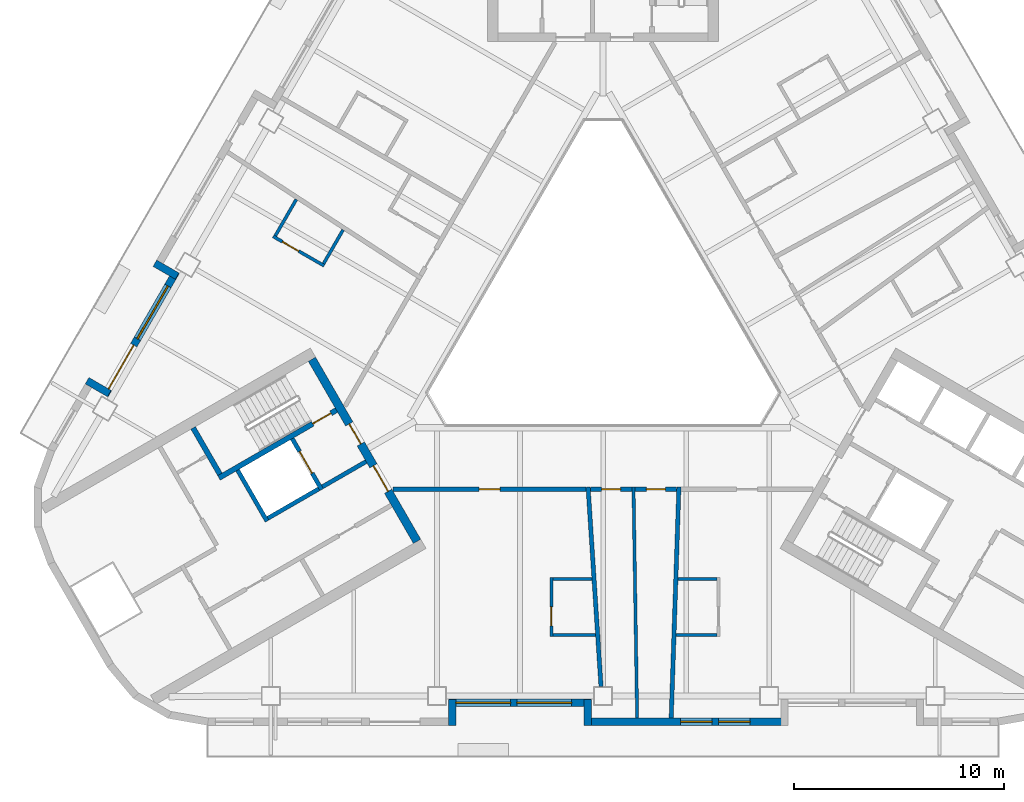
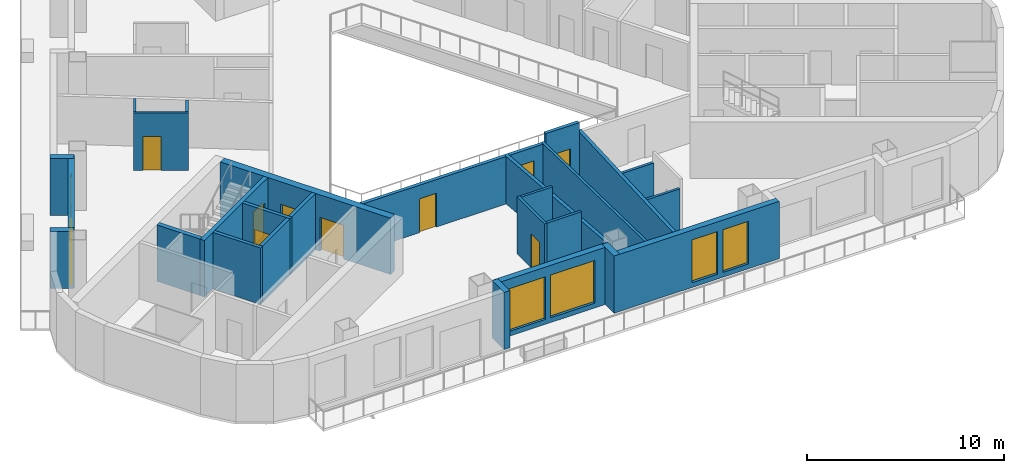
# One storey, part 3 of 14: 28 walls, 10 doors, 5 windows, 15 openings.
"""IFC4 building model written with IfcOpenShell, lengths in metres."""

from ifc_helpers import new_model, si_unit, direction, frame, frame_2d, origin, place, context, subcontext, project, spatial, rectangle, extrude, material, layer, layer_set, type_object, element, fill, save


model = new_model("IFC4")

# Units and contexts
model_context = context("Model", 3, precision=1e-05, world=origin(), true_north=direction((0.0, 1.0)))
body_context = subcontext(model_context, "Body", "Model", "MODEL_VIEW")
ifc_project = project(units=[si_unit("LENGTHUNIT", "METRE"), si_unit("AREAUNIT", "SQUARE_METRE"), si_unit("VOLUMEUNIT", "CUBIC_METRE"), si_unit("PLANEANGLEUNIT", "RADIAN"), si_unit("MASSUNIT", "GRAM", prefix="KILO")], contexts=[model_context])

# Site, building, storey
site_placement = place(None, origin())
site = spatial("IfcSite", under=ifc_project, at=site_placement, CompositionType="ELEMENT")
building_placement = place(site_placement, origin())
building = spatial("IfcBuilding", under=site, at=building_placement, Name="Apuvela Tower Hotel", CompositionType="ELEMENT")
storey_placement = place(building_placement, frame((0.0, 0.0, 109.39990234375)))
storey = spatial("IfcBuildingStorey", under=building, at=storey_placement, Name="L25", CompositionType="ELEMENT", Elevation=109.39990234375)

# Wall, openings, doors
ifc_material_1 = material(Name="Concrete C50/60", Category="concrete")
ifc_layer_1 = layer(ifc_material_1, 0.39990234375)
ifc_layer_set_1 = layer_set([ifc_layer_1], Name="COR-WALL-CORE-400")
wall_type_1 = type_object("IfcWallType", Name="COR-WALL-CORE-400", PredefinedType="SHEAR", material=ifc_layer_set_1)
wall_1_placement = place(storey_placement, frame((-13.844970703125, -2.219970703125, 0.0), z_axis=(0.0, 0.0, 1.0), x_axis=(0.500004234368, -0.866022959057, 0.0)))
wall_1 = element("IfcWall", 1, at=wall_1_placement, inside=storey, type_object=wall_type_1, Name="Core wall SW", PredefinedType="SHEAR", context=body_context, shape_type="SweptSolid", body=[
    extrude(rectangle(XDim=10.0, YDim=0.39990234375, at=frame_2d((5.0, 0.0))), origin(), (0.0, 0.0, 1.0), 3.5),
])
opening_1_placement = place(wall_1_placement, frame((3.550048828125, 0.0, 0.0)))
opening_1 = element("IfcOpeningElement", 2, at=opening_1_placement, cuts=wall_1, Name="Opening W-FD", PredefinedType="OPENING", context=body_context, shape_type="SweptSolid", body=[
    extrude(rectangle(XDim=1.10009765625, YDim=2.10009765625, at=frame_2d((0.550048828125, 1.050048828125))), frame((0.0, 0.2099609375, 0.0), z_axis=(0.0, -1.0, 0.0), x_axis=(1.0, 0.0, 0.0)), (0.0, 0.0, 1.0), 0.419921875),
])
opening_2_placement = place(wall_1_placement, frame((5.85009765625, 0.0, 0.0)))
opening_2 = element("IfcOpeningElement", 3, at=opening_2_placement, cuts=wall_1, Name="Opening W-GD", PredefinedType="OPENING", context=body_context, shape_type="SweptSolid", body=[
    extrude(rectangle(XDim=1.39990234375, YDim=2.10009765625, at=frame_2d((0.699951171875, 1.050048828125))), frame((0.0, 0.2099609375, 0.0), z_axis=(0.0, -1.0, 0.0), x_axis=(1.0, 0.0, 0.0)), (0.0, 0.0, 1.0), 0.419921875),
])
ifc_material_2 = material(Name="Steel fire door, powder coated", Category="steel")
door_type_1 = type_object("IfcDoorType", Name="COR-FD-1100", OperationType="NOTDEFINED", PredefinedType="DOOR", material=ifc_material_2)
door_1_placement = place(opening_1_placement, frame((1.10009765625, 0.0, 0.0), z_axis=(0.0, 0.0, 1.0), x_axis=(-1.0, 0.0, 0.0)))
door_1 = element("IfcDoor", 4, at=door_1_placement, inside=storey, type_object=door_type_1, Name="Firefighting lobby door W-FD", OperationType="SINGLE_SWING_LEFT", OverallHeight=2.10009765625, OverallWidth=1.10009765625, PredefinedType="DOOR", context=body_context, shape_type="SweptSolid", body=[
    extrude(rectangle(XDim=1.10009765625, YDim=2.10009765625, at=frame_2d((0.550048828125, 1.050048828125))), frame((0.0, 0.02490234375, 0.0), z_axis=(0.0, -1.0, 0.0), x_axis=(1.0, 0.0, 0.0)), (0.0, 0.0, 1.0), 0.050048828125),
])
fill(opening_1, door_1)
ifc_material_3 = material(Name="Glazed steel fire door", Category="steel")
door_type_2 = type_object("IfcDoorType", Name="COR-GD-1400", OperationType="DOUBLE_DOOR_SINGLE_SWING", PredefinedType="DOOR", material=ifc_material_3)
door_2_placement = place(opening_2_placement, frame((1.39990234375, 0.0, 0.0), z_axis=(0.0, 0.0, 1.0), x_axis=(-1.0, 0.0, 0.0)))
door_2 = element("IfcDoor", 5, at=door_2_placement, inside=storey, type_object=door_type_2, Name="Lift lobby door W-GD", OperationType="DOUBLE_DOOR_SINGLE_SWING", OverallHeight=2.10009765625, OverallWidth=1.39990234375, PredefinedType="DOOR", context=body_context, shape_type="SweptSolid", body=[
    extrude(rectangle(XDim=1.39990234375, YDim=2.10009765625, at=frame_2d((0.699951171875, 1.050048828125))), frame((0.0, 0.02490234375, 0.0), z_axis=(0.0, -1.0, 0.0), x_axis=(1.0, 0.0, 0.0)), (0.0, 0.0, 1.0), 0.050048828125),
])
fill(opening_2, door_2)

# Wall
ifc_layer_2 = layer(ifc_material_1, 0.199951171875)
ifc_layer_set_2 = layer_set([ifc_layer_2], Name="COR-WALL-SHAFT-200")
wall_type_2 = type_object("IfcWallType", Name="COR-WALL-SHAFT-200", PredefinedType="SHEAR", material=ifc_layer_set_2)
wall_2_placement = place(storey_placement, frame((-17.38134765625, -7.49462890625, 0.0), z_axis=(0.0, 0.0, 1.0), x_axis=(0.500011755427, -0.866018616679, 0.0)))
element("IfcWall", 6, at=wall_2_placement, inside=storey, type_object=wall_type_2, Name="Shaft wall SW", PredefinedType="SHEAR", context=body_context, shape_type="SweptSolid", body=[
    extrude(rectangle(XDim=2.80029296875, YDim=0.199951171875, at=frame_2d((1.400146484375, 0.0))), origin(), (0.0, 0.0, 1.0), 3.5),
])

# Wall, opening, door
wall_3_placement = place(storey_placement, frame((-14.783203125, -5.99462890625, 0.0), z_axis=(0.0, 0.0, 1.0), x_axis=(0.49994636267, -0.866056369097, 0.0)))
wall_3 = element("IfcWall", 7, at=wall_3_placement, inside=storey, type_object=wall_type_2, Name="Shaft wall SW", PredefinedType="SHEAR", context=body_context, shape_type="SweptSolid", body=[
    extrude(rectangle(XDim=2.800048828125, YDim=0.199951171875, at=frame_2d((1.39990234375, 0.0))), origin(), (0.0, 0.0, 1.0), 3.5),
])
opening_3_placement = place(wall_3_placement, frame((0.699951171875, 0.0, 0.0)))
opening_3 = element("IfcOpeningElement", 8, at=opening_3_placement, cuts=wall_3, Name="Opening W-LD-FS2", PredefinedType="OPENING", context=body_context, shape_type="SweptSolid", body=[
    extrude(rectangle(XDim=1.199951171875, YDim=2.10009765625, at=frame_2d((0.60009765625, 1.050048828125))), frame((0.0, 0.10986328125, 0.0), z_axis=(0.0, -1.0, 0.0), x_axis=(1.0, 0.0, 0.0)), (0.0, 0.0, 1.0), 0.219970703125),
])
ifc_material_4 = material(Name="Stainless steel lift landing door", Category="steel")
door_type_3 = type_object("IfcDoorType", Name="COR-LD-1200", OperationType="DOUBLE_DOOR_SLIDING", PredefinedType="DOOR", material=ifc_material_4)
door_3_placement = place(opening_3_placement, origin())
door_3 = element("IfcDoor", 9, at=door_3_placement, inside=storey, type_object=door_type_3, Name="Lift landing door W-LD-FS2", OperationType="DOUBLE_DOOR_SLIDING", OverallHeight=2.10009765625, OverallWidth=1.199951171875, PredefinedType="DOOR", context=body_context, shape_type="SweptSolid", body=[
    extrude(rectangle(XDim=1.199951171875, YDim=2.10009765625, at=frame_2d((0.60009765625, 1.050048828125))), frame((0.0, 0.02490234375, 0.0), z_axis=(0.0, -1.0, 0.0), x_axis=(1.0, 0.0, 0.0)), (0.0, 0.0, 1.0), 0.050048828125),
])
fill(opening_3, door_3)

# Walls
wall_4_placement = place(storey_placement, frame((-13.519775390625, -8.383056640625, 0.0), z_axis=(0.0, 0.0, 1.0), x_axis=(-0.866034573852, -0.49998411664, 0.0)))
element("IfcWall", 10, at=wall_4_placement, inside=storey, type_object=wall_type_2, Name="Shaft wall SW", PredefinedType="SHEAR", context=body_context, shape_type="SweptSolid", body=[
    extrude(rectangle(XDim=2.7998046875, YDim=0.199951171875, at=frame_2d((1.39990234375, 0.0))), origin(), (0.0, 0.0, 1.0), 3.5),
])
wall_5_placement = place(storey_placement, frame((-11.26806640625, -7.0830078125, 0.0), z_axis=(0.0, 0.0, 1.0), x_axis=(-0.866050077142, -0.499957262057, 0.0)))
element("IfcWall", 11, at=wall_5_placement, inside=storey, type_object=wall_type_2, Name="Shaft wall SW", PredefinedType="SHEAR", context=body_context, shape_type="SweptSolid", body=[
    extrude(rectangle(XDim=2.400146484375, YDim=0.199951171875, at=frame_2d((1.2001953125, 0.0))), origin(), (0.0, 0.0, 1.0), 3.5),
])

# Wall, opening, door
ifc_layer_3 = layer(ifc_material_1, 0.25)
ifc_layer_set_3 = layer_set([ifc_layer_3], Name="COR-WALL-STAIR-250")
wall_type_3 = type_object("IfcWallType", Name="COR-WALL-STAIR-250", PredefinedType="SHEAR", material=ifc_layer_set_3)
wall_6_placement = place(storey_placement, frame((-12.6806640625, -4.636474609375, 0.0), z_axis=(0.0, 0.0, 1.0), x_axis=(-0.866021702275, -0.500006411147, 0.0)))
wall_6 = element("IfcWall", 12, at=wall_6_placement, inside=storey, type_object=wall_type_3, Name="Stair wall SW", PredefinedType="SHEAR", context=body_context, shape_type="SweptSolid", body=[
    extrude(rectangle(XDim=6.4501953125, YDim=0.25, at=frame_2d((3.22509765625, 0.0))), origin(), (0.0, 0.0, 1.0), 3.5),
])
opening_4_placement = place(wall_6_placement, frame((0.300048828125, 0.0, 0.0)))
opening_4 = element("IfcOpeningElement", 13, at=opening_4_placement, cuts=wall_6, Name="Opening W-SD", PredefinedType="OPENING", context=body_context, shape_type="SweptSolid", body=[
    extrude(rectangle(XDim=1.0, YDim=2.10009765625, at=frame_2d((0.5, 1.050048828125))), frame((0.0, 0.135009765625, 0.0), z_axis=(0.0, -1.0, 0.0), x_axis=(1.0, 0.0, 0.0)), (0.0, 0.0, 1.0), 0.27001953125),
])
door_type_4 = type_object("IfcDoorType", Name="COR-SD-1000", OperationType="NOTDEFINED", PredefinedType="DOOR", material=ifc_material_2)
door_4_placement = place(opening_4_placement, frame((1.0, 0.0, 0.0), z_axis=(0.0, 0.0, 1.0), x_axis=(-1.0, 0.0, 0.0)))
door_4 = element("IfcDoor", 14, at=door_4_placement, inside=storey, type_object=door_type_4, Name="Stair door W-SD", OperationType="SINGLE_SWING_LEFT", OverallHeight=2.10009765625, OverallWidth=1.0, PredefinedType="DOOR", context=body_context, shape_type="SweptSolid", body=[
    extrude(rectangle(XDim=1.0, YDim=2.10009765625, at=frame_2d((0.5, 1.050048828125))), frame((0.0, 0.02490234375, 0.0), z_axis=(0.0, -1.0, 0.0), x_axis=(1.0, 0.0, 0.0)), (0.0, 0.0, 1.0), 0.050048828125),
])
fill(opening_4, door_4)

# Walls
wall_7_placement = place(storey_placement, frame((-19.49560546875, -5.482421875, 0.0), z_axis=(0.0, 0.0, 1.0), x_axis=(0.499990435942, -0.866030925526, 0.0)))
element("IfcWall", 15, at=wall_7_placement, inside=storey, type_object=wall_type_3, Name="Stair wall SW", PredefinedType="SHEAR", context=body_context, shape_type="SweptSolid", body=[
    extrude(rectangle(XDim=2.5498046875, YDim=0.25, at=frame_2d((1.27490234375, 0.0))), origin(), (0.0, 0.0, 1.0), 3.5),
])
ifc_material_5 = material(Name="Concrete C40/50, dark pigmented precast panel", Category="concrete")
ifc_layer_4 = layer(ifc_material_5, 0.35009765625)
ifc_layer_set_4 = layer_set([ifc_layer_4], Name="ENV-WALL-350")
wall_type_4 = type_object("IfcWallType", Name="ENV-WALL-350", PredefinedType="SOLIDWALL", material=ifc_layer_set_4)
wall_8_placement = place(storey_placement, frame((-21.3125, 2.345703125, 0.0), z_axis=(0.0, 0.0, 1.0), x_axis=(0.866005645448, -0.500034220881, 0.0)))
element("IfcWall", 16, at=wall_8_placement, inside=storey, type_object=wall_type_4, Name="External wall L25-06", PredefinedType="SOLIDWALL", context=body_context, shape_type="SweptSolid", body=[
    extrude(rectangle(XDim=1.22021484375, YDim=0.35009765625, at=frame_2d((0.610107421875, 0.0))), origin(), (0.0, 0.0, 1.0), 3.550048828125),
])

# Wall, openings, door, window
wall_9_placement = place(storey_placement, frame((-20.30908203125, 1.93359375, 0.0), z_axis=(0.0, 0.0, 1.0), x_axis=(-0.499992114976, -0.866029956157, 0.0)))
wall_9 = element("IfcWall", 17, at=wall_9_placement, inside=storey, type_object=wall_type_4, Name="External wall L25-07", PredefinedType="SOLIDWALL", context=body_context, shape_type="SweptSolid", body=[
    extrude(rectangle(XDim=6.73974609375, YDim=0.35009765625, at=frame_2d((3.369873046875, 0.0))), origin(), (0.0, 0.0, 1.0), 3.550048828125),
])
opening_5_placement = place(wall_9_placement, frame((4.02001953125, 0.0, 0.0)))
opening_5 = element("IfcOpeningElement", 18, at=opening_5_placement, cuts=wall_9, Name="Opening BD24", PredefinedType="OPENING", context=body_context, shape_type="SweptSolid", body=[
    extrude(rectangle(XDim=2.39990234375, YDim=2.39990234375, at=frame_2d((1.199951171875, 1.199951171875))), frame((0.0, 0.18505859375, 0.0), z_axis=(0.0, -1.0, 0.0), x_axis=(1.0, 0.0, 0.0)), (0.0, 0.0, 1.0), 0.3701171875),
])
opening_6_placement = place(wall_9_placement, frame((0.77001953125, 0.0, 0.300048828125)))
opening_6 = element("IfcOpeningElement", 19, at=opening_6_placement, cuts=wall_9, Name="Opening WN29", PredefinedType="OPENING", context=body_context, shape_type="SweptSolid", body=[
    extrude(rectangle(XDim=2.89990234375, YDim=2.64990234375, at=frame_2d((1.449951171875, 1.324951171875))), frame((0.0, 0.18505859375, 0.0), z_axis=(0.0, -1.0, 0.0), x_axis=(1.0, 0.0, 0.0)), (0.0, 0.0, 1.0), 0.3701171875),
])
ifc_material_6 = material(Name="Aluminium 6063-T6, dark bronze anodised frame with dark tinted laminated glass", Category="aluminium")
door_type_5 = type_object("IfcDoorType", Name="ENV-DOOR-BALCONY-2400x2400", OperationType="SLIDING_TO_LEFT", PredefinedType="DOOR", material=ifc_material_6)
door_5_placement = place(opening_5_placement, frame((2.39990234375, 0.0, 0.0), z_axis=(0.0, 0.0, 1.0), x_axis=(-1.0, 0.0, 0.0)))
door_5 = element("IfcDoor", 20, at=door_5_placement, inside=storey, type_object=door_type_5, Name="Balcony door BD24", OperationType="SLIDING_TO_LEFT", OverallHeight=2.39990234375, OverallWidth=2.39990234375, PredefinedType="DOOR", context=body_context, shape_type="SweptSolid", body=[
    extrude(rectangle(XDim=2.39990234375, YDim=2.39990234375, at=frame_2d((1.199951171875, 1.199951171875))), frame((0.0, 0.02490234375, 0.0), z_axis=(0.0, -1.0, 0.0), x_axis=(1.0, 0.0, 0.0)), (0.0, 0.0, 1.0), 0.050048828125),
])
fill(opening_5, door_5)
ifc_material_7 = material(Name="Glass, dark tinted laminated insulated glazing unit", Category="glass")
window_type_1 = type_object("IfcWindowType", Name="ENV-WIN-2900x2650", PartitioningType="SINGLE_PANEL", PredefinedType="WINDOW", material=ifc_material_7)
window_1_placement = place(opening_6_placement, origin())
window_1 = element("IfcWindow", 21, at=window_1_placement, inside=storey, type_object=window_type_1, Name="Window WN29", OverallHeight=2.64990234375, OverallWidth=2.89990234375, PartitioningType="SINGLE_PANEL", PredefinedType="WINDOW", context=body_context, shape_type="SweptSolid", body=[
    extrude(rectangle(XDim=2.89990234375, YDim=2.64990234375, at=frame_2d((1.449951171875, 1.324951171875))), frame((0.0, 0.030029296875, 0.0), z_axis=(0.0, -1.0, 0.0), x_axis=(1.0, 0.0, 0.0)), (0.0, 0.0, 1.0), 0.06005859375),
])
fill(opening_6, window_1)

# Walls
for number, where, z_axis, x_axis, name in (
    (22, (-23.48095703125, -3.85009765625, 0.0), (0.0, 0.0, 1.0), (-0.866092288191, 0.499884134912, 0.0), "External wall L25-08"),
    (23, (-7.175048828125, -19.6298828125, 0.0), (0.0, 0.0, 1.0), (0.0, 1.0, 0.0), "External wall L25-18"),
):
    element("IfcWall", number, at=place(storey_placement, frame(where, z_axis=z_axis, x_axis=x_axis)), inside=storey, type_object=wall_type_4, Name=name, PredefinedType="SOLIDWALL", context=body_context, shape_type="SweptSolid", body=[
        extrude(rectangle(XDim=1.219970703125, YDim=0.35009765625, at=frame_2d((0.60986328125, 0.0))), origin(), (0.0, 0.0, 1.0), 3.550048828125),
    ])

# Wall, openings, windows
wall_10_placement = place(storey_placement, frame((-7.320068359375, -18.554931640625, 0.0), z_axis=(0.0, 0.0, 1.0), x_axis=(1.0, 0.0, 0.0)))
wall_10 = element("IfcWall", 24, at=wall_10_placement, inside=storey, type_object=wall_type_4, Name="External wall L25-19", PredefinedType="SOLIDWALL", context=body_context, shape_type="SweptSolid", body=[
    extrude(rectangle(XDim=6.739990234375, YDim=0.35009765625, at=frame_2d((3.3701171875, 0.0))), origin(), (0.0, 0.0, 1.0), 3.550048828125),
])
opening_7_placement = place(wall_10_placement, frame((0.3203125, 0.0, 0.300048828125)))
opening_7 = element("IfcOpeningElement", 25, at=opening_7_placement, cuts=wall_10, Name="Opening WN26", PredefinedType="OPENING", context=body_context, shape_type="SweptSolid", body=[
    extrude(rectangle(XDim=2.60009765625, YDim=2.64990234375, at=frame_2d((1.300048828125, 1.324951171875))), frame((0.0, 0.18505859375, 0.0), z_axis=(0.0, -1.0, 0.0), x_axis=(1.0, 0.0, 0.0)), (0.0, 0.0, 1.0), 0.3701171875),
])
opening_8_placement = place(wall_10_placement, frame((3.220458984375, 0.0, 0.300048828125)))
opening_8 = element("IfcOpeningElement", 26, at=opening_8_placement, cuts=wall_10, Name="Opening WN26", PredefinedType="OPENING", context=body_context, shape_type="SweptSolid", body=[
    extrude(rectangle(XDim=2.60009765625, YDim=2.64990234375, at=frame_2d((1.300048828125, 1.324951171875))), frame((0.0, 0.18505859375, 0.0), z_axis=(0.0, -1.0, 0.0), x_axis=(1.0, 0.0, 0.0)), (0.0, 0.0, 1.0), 0.3701171875),
])
window_type_2 = type_object("IfcWindowType", Name="ENV-WIN-2600x2650", PartitioningType="SINGLE_PANEL", PredefinedType="WINDOW", material=ifc_material_7)
window_2_placement = place(opening_7_placement, origin())
window_2 = element("IfcWindow", 27, at=window_2_placement, inside=storey, type_object=window_type_2, Name="Window WN26", OverallHeight=2.64990234375, OverallWidth=2.60009765625, PartitioningType="SINGLE_PANEL", PredefinedType="WINDOW", context=body_context, shape_type="SweptSolid", body=[
    extrude(rectangle(XDim=2.60009765625, YDim=2.64990234375, at=frame_2d((1.300048828125, 1.324951171875))), frame((0.0, 0.030029296875, 0.0), z_axis=(0.0, -1.0, 0.0), x_axis=(1.0, 0.0, 0.0)), (0.0, 0.0, 1.0), 0.06005859375),
])
fill(opening_7, window_2)
window_3_placement = place(opening_8_placement, origin())
window_3 = element("IfcWindow", 28, at=window_3_placement, inside=storey, type_object=window_type_2, Name="Window WN26", OverallHeight=2.64990234375, OverallWidth=2.60009765625, PartitioningType="SINGLE_PANEL", PredefinedType="WINDOW", context=body_context, shape_type="SweptSolid", body=[
    extrude(rectangle(XDim=2.60009765625, YDim=2.64990234375, at=frame_2d((1.300048828125, 1.324951171875))), frame((0.0, 0.030029296875, 0.0), z_axis=(0.0, -1.0, 0.0), x_axis=(1.0, 0.0, 0.0)), (0.0, 0.0, 1.0), 0.06005859375),
])
fill(opening_8, window_3)

# Wall
wall_11_placement = place(storey_placement, frame((-0.72509765625, -18.409912109375, 0.0), z_axis=(0.0, 0.0, 1.0), x_axis=(0.0, -1.0, 0.0)))
element("IfcWall", 29, at=wall_11_placement, inside=storey, type_object=wall_type_4, Name="External wall L25-20", PredefinedType="SOLIDWALL", context=body_context, shape_type="SweptSolid", body=[
    extrude(rectangle(XDim=1.219970703125, YDim=0.35009765625, at=frame_2d((0.60986328125, 0.0))), origin(), (0.0, 0.0, 1.0), 3.550048828125),
])

# Wall, openings, windows
wall_12_placement = place(storey_placement, frame((-0.89990234375, -19.455078125, 0.0), z_axis=(0.0, 0.0, 1.0), x_axis=(1.0, 0.0, 0.0)))
wall_12 = element("IfcWall", 30, at=wall_12_placement, inside=storey, type_object=wall_type_4, Name="External wall L25-21", PredefinedType="SOLIDWALL", context=body_context, shape_type="SweptSolid", body=[
    extrude(rectangle(XDim=9.699951171875, YDim=0.35009765625, at=frame_2d((4.85009765625, 0.0))), origin(), (0.0, 0.0, 1.0), 3.550048828125),
])
opening_9_placement = place(wall_12_placement, frame((4.58984375, 0.0, 0.300048828125)))
opening_9 = element("IfcOpeningElement", 31, at=opening_9_placement, cuts=wall_12, Name="Opening WN15", PredefinedType="OPENING", context=body_context, shape_type="SweptSolid", body=[
    extrude(rectangle(XDim=1.5, YDim=2.64990234375, at=frame_2d((0.75, 1.324951171875))), frame((0.0, 0.18505859375, 0.0), z_axis=(0.0, -1.0, 0.0), x_axis=(1.0, 0.0, 0.0)), (0.0, 0.0, 1.0), 0.3701171875),
])
opening_10_placement = place(wall_12_placement, frame((6.389892578125, 0.0, 0.300048828125)))
opening_10 = element("IfcOpeningElement", 32, at=opening_10_placement, cuts=wall_12, Name="Opening WN15", PredefinedType="OPENING", context=body_context, shape_type="SweptSolid", body=[
    extrude(rectangle(XDim=1.5, YDim=2.64990234375, at=frame_2d((0.75, 1.324951171875))), frame((0.0, 0.18505859375, 0.0), z_axis=(0.0, -1.0, 0.0), x_axis=(1.0, 0.0, 0.0)), (0.0, 0.0, 1.0), 0.3701171875),
])
window_type_3 = type_object("IfcWindowType", Name="ENV-WIN-1500x2650", PartitioningType="SINGLE_PANEL", PredefinedType="WINDOW", material=ifc_material_7)
window_4_placement = place(opening_9_placement, origin())
window_4 = element("IfcWindow", 33, at=window_4_placement, inside=storey, type_object=window_type_3, Name="Window WN15", OverallHeight=2.64990234375, OverallWidth=1.5, PartitioningType="SINGLE_PANEL", PredefinedType="WINDOW", context=body_context, shape_type="SweptSolid", body=[
    extrude(rectangle(XDim=1.5, YDim=2.64990234375, at=frame_2d((0.75, 1.324951171875))), frame((0.0, 0.030029296875, 0.0), z_axis=(0.0, -1.0, 0.0), x_axis=(1.0, 0.0, 0.0)), (0.0, 0.0, 1.0), 0.06005859375),
])
fill(opening_9, window_4)
window_5_placement = place(opening_10_placement, origin())
window_5 = element("IfcWindow", 34, at=window_5_placement, inside=storey, type_object=window_type_3, Name="Window WN15", OverallHeight=2.64990234375, OverallWidth=1.5, PartitioningType="SINGLE_PANEL", PredefinedType="WINDOW", context=body_context, shape_type="SweptSolid", body=[
    extrude(rectangle(XDim=1.5, YDim=2.64990234375, at=frame_2d((0.75, 1.324951171875))), frame((0.0, 0.030029296875, 0.0), z_axis=(0.0, -1.0, 0.0), x_axis=(1.0, 0.0, 0.0)), (0.0, 0.0, 1.0), 0.06005859375),
])
fill(opening_10, window_5)

# Walls
ifc_material_8 = material(Name="Gypsum board partition on twin steel stud", Category="steel")
ifc_layer_5 = layer(ifc_material_8, 0.199951171875)
ifc_layer_set_5 = layer_set([ifc_layer_5], Name="GST-PW1")
wall_type_5 = type_object("IfcWallType", Name="GST-PW1", PredefinedType="PARTITIONING", material=ifc_layer_set_5)
wall_13_placement = place(storey_placement, frame((-0.097412109375, -17.780029296875, 0.0), z_axis=(0.0, 0.0, 1.0), x_axis=(-0.064787627283, 0.997899074732, 0.0)))
element("IfcWall", 35, at=wall_13_placement, inside=storey, type_object=wall_type_5, Name="L25 partition 01", PredefinedType="PARTITIONING", context=body_context, shape_type="SweptSolid", body=[
    extrude(rectangle(XDim=9.5, YDim=0.199951171875, at=frame_2d((4.75, 0.0))), origin(), (0.0, 0.0, 1.0), 2.9501953125),
])
wall_14_placement = place(storey_placement, frame((3.239990234375, -19.280029296875, 0.0), z_axis=(0.0, 0.0, 1.0), x_axis=(0.033378464475, 0.99944278381, 0.0)))
element("IfcWall", 36, at=wall_14_placement, inside=storey, type_object=wall_type_5, Name="L25 partition 02", PredefinedType="PARTITIONING", context=body_context, shape_type="SweptSolid", body=[
    extrude(rectangle(XDim=10.986083984375, YDim=0.199951171875, at=frame_2d((5.4931640625, 0.0))), origin(), (0.0, 0.0, 1.0), 2.960205078125),
])

# Wall, opening, door
ifc_material_9 = material(Name="Gypsum board corridor wall on twin steel stud, acoustic", Category="steel")
ifc_layer_6 = layer(ifc_material_9, 0.199951171875)
ifc_layer_set_6 = layer_set([ifc_layer_6], Name="GST-PW2")
wall_type_6 = type_object("IfcWallType", Name="GST-PW2", PredefinedType="PARTITIONING", material=ifc_layer_set_6)
wall_15_placement = place(storey_placement, frame((-0.806640625, -8.39990234375, 0.0), z_axis=(0.0, 0.0, 1.0), x_axis=(-1.0, 0.0, 0.0)))
wall_15 = element("IfcWall", 37, at=wall_15_placement, inside=storey, type_object=wall_type_6, Name="L25 partition 08", PredefinedType="PARTITIONING", context=body_context, shape_type="SweptSolid", body=[
    extrude(rectangle(XDim=9.181640625, YDim=0.199951171875, at=frame_2d((4.5908203125, 0.0))), origin(), (0.0, 0.0, 1.0), 2.9501953125),
])
opening_11_placement = place(wall_15_placement, frame((4.0908203125, 0.0, 0.0)))
opening_11 = element("IfcOpeningElement", 38, at=opening_11_placement, cuts=wall_15, Name="Opening GD09-02", PredefinedType="OPENING", context=body_context, shape_type="SweptSolid", body=[
    extrude(rectangle(XDim=1.0, YDim=2.10009765625, at=frame_2d((0.5, 1.050048828125))), frame((0.0, 0.10986328125, 0.0), z_axis=(0.0, -1.0, 0.0), x_axis=(1.0, 0.0, 0.0)), (0.0, 0.0, 1.0), 0.219970703125),
])
ifc_material_10 = material(Name="Timber door leaf in steel frame", Category="steel")
door_type_6 = type_object("IfcDoorType", Name="GST-D1", OperationType="NOTDEFINED", PredefinedType="DOOR", material=ifc_material_10)
door_6_placement = place(opening_11_placement, origin())
door_6 = element("IfcDoor", 39, at=door_6_placement, inside=storey, type_object=door_type_6, Name="Door L25-02", OperationType="SINGLE_SWING_LEFT", OverallHeight=2.10009765625, OverallWidth=1.0, PredefinedType="DOOR", context=body_context, shape_type="SweptSolid", body=[
    extrude(rectangle(XDim=1.0, YDim=2.10009765625, at=frame_2d((0.5, 1.050048828125))), frame((0.0, 0.02490234375, 0.0), z_axis=(0.0, -1.0, 0.0), x_axis=(1.0, 0.0, 0.0)), (0.0, 0.0, 1.0), 0.050048828125),
])
fill(opening_11, door_6)

wall_16_placement = place(storey_placement, frame((1.373291015625, -8.39990234375, 0.0), z_axis=(0.0, 0.0, 1.0), x_axis=(-1.0, 0.0, 0.0)))
wall_16 = element("IfcWall", 40, at=wall_16_placement, inside=storey, type_object=wall_type_6, Name="L25 partition 13", PredefinedType="PARTITIONING", context=body_context, shape_type="SweptSolid", body=[
    extrude(rectangle(XDim=1.9794921875, YDim=0.199951171875, at=frame_2d((0.98974609375, 0.0))), origin(), (0.0, 0.0, 1.0), 2.9501953125),
])
opening_12_placement = place(wall_16_placement, frame((0.539794921875, 0.0, 0.0)))
opening_12 = element("IfcOpeningElement", 41, at=opening_12_placement, cuts=wall_16, Name="Opening GD09-03", PredefinedType="OPENING", context=body_context, shape_type="SweptSolid", body=[
    extrude(rectangle(XDim=0.89990234375, YDim=2.10009765625, at=frame_2d((0.449951171875, 1.050048828125))), frame((0.0, 0.10986328125, 0.0), z_axis=(0.0, -1.0, 0.0), x_axis=(1.0, 0.0, 0.0)), (0.0, 0.0, 1.0), 0.219970703125),
])
door_type_7 = type_object("IfcDoorType", Name="GST-D2", OperationType="NOTDEFINED", PredefinedType="DOOR", material=ifc_material_10)
door_7_placement = place(opening_12_placement, origin())
door_7 = element("IfcDoor", 42, at=door_7_placement, inside=storey, type_object=door_type_7, Name="Door L25-03", OperationType="SINGLE_SWING_LEFT", OverallHeight=2.10009765625, OverallWidth=0.89990234375, PredefinedType="DOOR", context=body_context, shape_type="SweptSolid", body=[
    extrude(rectangle(XDim=0.89990234375, YDim=2.10009765625, at=frame_2d((0.449951171875, 1.050048828125))), frame((0.0, 0.02490234375, 0.0), z_axis=(0.0, -1.0, 0.0), x_axis=(1.0, 0.0, 0.0)), (0.0, 0.0, 1.0), 0.050048828125),
])
fill(opening_12, door_7)

wall_17_placement = place(storey_placement, frame((3.50341796875, -8.39990234375, 0.0), z_axis=(0.0, 0.0, 1.0), x_axis=(-1.0, 0.0, 0.0)))
wall_17 = element("IfcWall", 43, at=wall_17_placement, inside=storey, type_object=wall_type_6, Name="L25 partition 14", PredefinedType="PARTITIONING", context=body_context, shape_type="SweptSolid", body=[
    extrude(rectangle(XDim=1.97998046875, YDim=0.199951171875, at=frame_2d((0.989990234375, 0.0))), origin(), (0.0, 0.0, 1.0), 3.550048828125),
])
opening_13_placement = place(wall_17_placement, frame((0.539794921875, 0.0, 0.0)))
opening_13 = element("IfcOpeningElement", 44, at=opening_13_placement, cuts=wall_17, Name="Opening GD09-04", PredefinedType="OPENING", context=body_context, shape_type="SweptSolid", body=[
    extrude(rectangle(XDim=0.89990234375, YDim=2.10009765625, at=frame_2d((0.449951171875, 1.050048828125))), frame((0.0, 0.10986328125, 0.0), z_axis=(0.0, -1.0, 0.0), x_axis=(1.0, 0.0, 0.0)), (0.0, 0.0, 1.0), 0.219970703125),
])
door_8_placement = place(opening_13_placement, origin())
door_8 = element("IfcDoor", 45, at=door_8_placement, inside=storey, type_object=door_type_7, Name="Door L25-04", OperationType="SINGLE_SWING_RIGHT", OverallHeight=2.10009765625, OverallWidth=0.89990234375, PredefinedType="DOOR", context=body_context, shape_type="SweptSolid", body=[
    extrude(rectangle(XDim=0.89990234375, YDim=2.10009765625, at=frame_2d((0.449951171875, 1.050048828125))), frame((0.0, 0.02490234375, 0.0), z_axis=(0.0, -1.0, 0.0), x_axis=(1.0, 0.0, 0.0)), (0.0, 0.0, 1.0), 0.050048828125),
])
fill(opening_13, door_8)

ifc_material_11 = material(Name="Moisture-resistant gypsum board wet wall on steel stud", Category="steel")
ifc_layer_7 = layer(ifc_material_11, 0.14990234375)
ifc_layer_set_7 = layer_set([ifc_layer_7], Name="GST-PW3")
wall_type_7 = type_object("IfcWallType", Name="GST-PW3", PredefinedType="PARTITIONING", material=ifc_layer_set_7)
wall_18_placement = place(storey_placement, frame((-2.458984375, -12.60009765625, 0.0), z_axis=(0.0, 0.0, 1.0), x_axis=(0.0, -1.0, 0.0)))
wall_18 = element("IfcWall", 46, at=wall_18_placement, inside=storey, type_object=wall_type_7, Name="L25 partition 09", PredefinedType="PARTITIONING", context=body_context, shape_type="SweptSolid", body=[
    extrude(rectangle(XDim=2.7998046875, YDim=0.14990234375, at=frame_2d((1.39990234375, 0.0))), origin(), (0.0, 0.0, 1.0), 3.550048828125),
])
opening_14_placement = place(wall_18_placement, frame((1.39990234375, 0.0, 0.0)))
opening_14 = element("IfcOpeningElement", 47, at=opening_14_placement, cuts=wall_18, Name="Opening GD09-01", PredefinedType="OPENING", context=body_context, shape_type="SweptSolid", body=[
    extrude(rectangle(XDim=0.89990234375, YDim=2.10009765625, at=frame_2d((0.449951171875, 1.050048828125))), frame((0.0, 0.0849609375, 0.0), z_axis=(0.0, -1.0, 0.0), x_axis=(1.0, 0.0, 0.0)), (0.0, 0.0, 1.0), 0.169921875),
])
door_9_placement = place(opening_14_placement, origin())
door_9 = element("IfcDoor", 48, at=door_9_placement, inside=storey, type_object=door_type_7, Name="Door L25-01", OperationType="SINGLE_SWING_RIGHT", OverallHeight=2.10009765625, OverallWidth=0.89990234375, PredefinedType="DOOR", context=body_context, shape_type="SweptSolid", body=[
    extrude(rectangle(XDim=0.89990234375, YDim=2.10009765625, at=frame_2d((0.449951171875, 1.050048828125))), frame((0.0, 0.02490234375, 0.0), z_axis=(0.0, -1.0, 0.0), x_axis=(1.0, 0.0, 0.0)), (0.0, 0.0, 1.0), 0.050048828125),
])
fill(opening_14, door_9)

# Walls
wall_19_placement = place(storey_placement, frame((-2.384033203125, -15.324951171875, 0.0), z_axis=(0.0, 0.0, 1.0), x_axis=(1.0, 0.0, 0.0)))
element("IfcWall", 49, at=wall_19_placement, inside=storey, type_object=wall_type_7, Name="L25 partition 10", PredefinedType="PARTITIONING", context=body_context, shape_type="SweptSolid", body=[
    extrude(rectangle(XDim=2.027099609375, YDim=0.14990234375, at=frame_2d((1.013671875, 0.0))), origin(), (0.0, 0.0, 1.0), 3.550048828125),
])
wall_20_placement = place(storey_placement, frame((-2.384033203125, -12.675048828125, 0.0), z_axis=(0.0, 0.0, 1.0), x_axis=(1.0, 0.0, 0.0)))
element("IfcWall", 50, at=wall_20_placement, inside=storey, type_object=wall_type_7, Name="L25 partition 11", PredefinedType="PARTITIONING", context=body_context, shape_type="SweptSolid", body=[
    extrude(rectangle(XDim=1.85498046875, YDim=0.14990234375, at=frame_2d((0.927490234375, 0.0))), origin(), (0.0, 0.0, 1.0), 3.550048828125),
])
wall_21_placement = place(storey_placement, frame((1.6201171875, -19.280029296875, 0.0), z_axis=(0.0, 0.0, 1.0), x_axis=(-0.015784932211, 0.999875410196, 0.0)))
element("IfcWall", 51, at=wall_21_placement, inside=storey, type_object=wall_type_7, Name="L25 partition 12", PredefinedType="PARTITIONING", context=body_context, shape_type="SweptSolid", body=[
    extrude(rectangle(XDim=10.9814453125, YDim=0.14990234375, at=frame_2d((5.49072265625, 0.0))), origin(), (0.0, 0.0, 1.0), 2.960205078125),
])
wall_22_placement = place(storey_placement, frame((3.47216796875, -15.324951171875, 0.0), z_axis=(0.0, 0.0, 1.0), x_axis=(1.0, 0.0, 0.0)))
element("IfcWall", 52, at=wall_22_placement, inside=storey, type_object=wall_type_7, Name="L25 partition 17", PredefinedType="PARTITIONING", context=body_context, shape_type="SweptSolid", body=[
    extrude(rectangle(XDim=1.94091796875, YDim=0.14990234375, at=frame_2d((0.970458984375, 0.0))), origin(), (0.0, 0.0, 1.0), 2.9501953125),
])
wall_23_placement = place(storey_placement, frame((3.560546875, -12.675048828125, 0.0), z_axis=(0.0, 0.0, 1.0), x_axis=(1.0, 0.0, 0.0)))
element("IfcWall", 53, at=wall_23_placement, inside=storey, type_object=wall_type_7, Name="L25 partition 18", PredefinedType="PARTITIONING", context=body_context, shape_type="SweptSolid", body=[
    extrude(rectangle(XDim=1.8525390625, YDim=0.14990234375, at=frame_2d((0.92626953125, 0.0))), origin(), (0.0, 0.0, 1.0), 2.9501953125),
])

# Wall, opening, door
wall_24_placement = place(storey_placement, frame((-15.689208984375, 3.625732421875, 0.0), z_axis=(0.0, 0.0, 1.0), x_axis=(0.866018616679, -0.500011755427, 0.0)))
wall_24 = element("IfcWall", 54, at=wall_24_placement, inside=storey, type_object=wall_type_7, Name="L25 partition 41", PredefinedType="PARTITIONING", context=body_context, shape_type="SweptSolid", body=[
    extrude(rectangle(XDim=2.80029296875, YDim=0.14990234375, at=frame_2d((1.400146484375, 0.0))), origin(), (0.0, 0.0, 1.0), 3.550048828125),
])
opening_15_placement = place(wall_24_placement, frame((0.5, 0.0, 0.0)))
opening_15 = element("IfcOpeningElement", 55, at=opening_15_placement, cuts=wall_24, Name="Opening GD09-19", PredefinedType="OPENING", context=body_context, shape_type="SweptSolid", body=[
    extrude(rectangle(XDim=0.89990234375, YDim=2.10009765625, at=frame_2d((0.449951171875, 1.050048828125))), frame((0.0, 0.0849609375, 0.0), z_axis=(0.0, -1.0, 0.0), x_axis=(1.0, 0.0, 0.0)), (0.0, 0.0, 1.0), 0.169921875),
])
door_10_placement = place(opening_15_placement, origin())
door_10 = element("IfcDoor", 56, at=door_10_placement, inside=storey, type_object=door_type_7, Name="Door L25-19", OperationType="SINGLE_SWING_LEFT", OverallHeight=2.10009765625, OverallWidth=0.89990234375, PredefinedType="DOOR", context=body_context, shape_type="SweptSolid", body=[
    extrude(rectangle(XDim=0.89990234375, YDim=2.10009765625, at=frame_2d((0.449951171875, 1.050048828125))), frame((0.0, 0.02490234375, 0.0), z_axis=(0.0, -1.0, 0.0), x_axis=(1.0, 0.0, 0.0)), (0.0, 0.0, 1.0), 0.050048828125),
])
fill(opening_15, door_10)

# Walls
wall_25_placement = place(storey_placement, frame((-14.58837890625, 5.38232421875, 0.0), z_axis=(0.0, 0.0, 1.0), x_axis=(-0.500018837128, -0.86601452789, 0.0)))
element("IfcWall", 57, at=wall_25_placement, inside=storey, type_object=wall_type_7, Name="L25 partition 42", PredefinedType="PARTITIONING", context=body_context, shape_type="SweptSolid", body=[
    extrude(rectangle(XDim=1.99658203125, YDim=0.14990234375, at=frame_2d((0.998291015625, 0.0))), origin(), (0.0, 0.0, 1.0), 2.9501953125),
])
wall_26_placement = place(storey_placement, frame((-12.364501953125, 3.933837890625, 0.0), z_axis=(0.0, 0.0, 1.0), x_axis=(-0.4999770169, -0.866038672677, 0.0)))
element("IfcWall", 58, at=wall_26_placement, inside=storey, type_object=wall_type_7, Name="L25 partition 43", PredefinedType="PARTITIONING", context=body_context, shape_type="SweptSolid", body=[
    extrude(rectangle(XDim=1.85400390625, YDim=0.14990234375, at=frame_2d((0.927001953125, 0.0))), origin(), (0.0, 0.0, 1.0), 2.9501953125),
])

save(model, "model.ifc")
